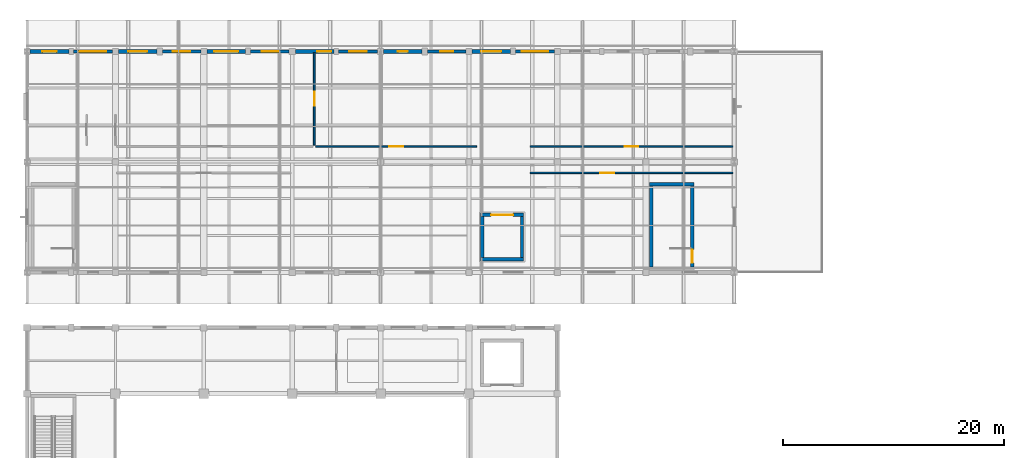
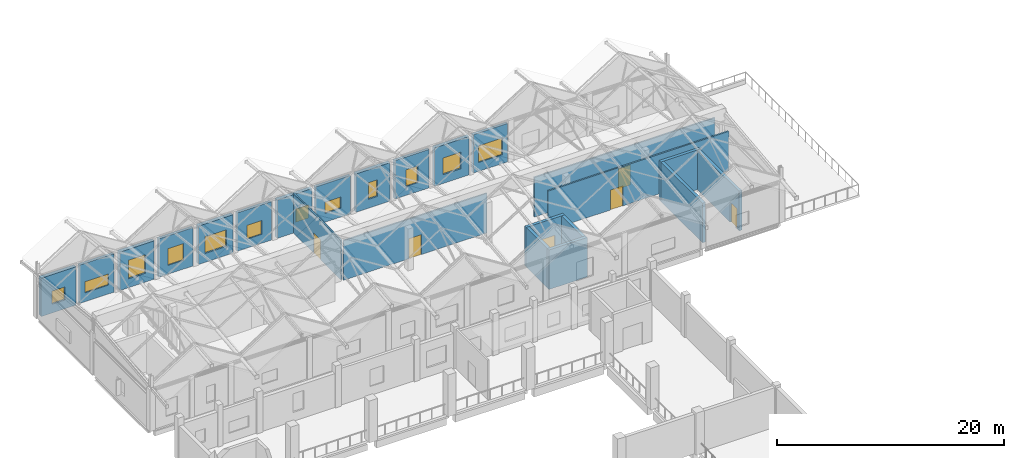
# One storey, part 145 of 183: 23 walls, 12 windows, 6 doors, 18 openings.
"""IFC4 building model written with IfcOpenShell, lengths in metres."""

from ifc_helpers import new_model, si_unit, direction, frame, frame_2d, origin, place, context, subcontext, project, spatial, rectangle, extrude, material, layer, layer_set, type_object, element, fill, save


model = new_model("IFC4")

# Units and contexts
model_context = context("Model", 3, precision=1e-05, world=origin(), true_north=direction((0.0, 1.0)))
body_context = subcontext(model_context, "Body", "Model", "MODEL_VIEW")
ifc_project = project(units=[si_unit("LENGTHUNIT", "METRE"), si_unit("AREAUNIT", "SQUARE_METRE"), si_unit("VOLUMEUNIT", "CUBIC_METRE"), si_unit("PLANEANGLEUNIT", "RADIAN"), si_unit("MASSUNIT", "GRAM", prefix="KILO")], contexts=[model_context])

# Site, building, storey
site_placement = place(None, origin())
site = spatial("IfcSite", under=ifc_project, at=site_placement, CompositionType="ELEMENT")
building_placement = place(site_placement, origin())
building = spatial("IfcBuilding", under=site, at=building_placement, Name="Luwemba Playhouse", CompositionType="ELEMENT")
storey_placement = place(building_placement, frame((0.0, 0.0, 4.800048828125)))
storey = spatial("IfcBuildingStorey", under=building, at=storey_placement, Name="L01", CompositionType="ELEMENT", Elevation=4.800048828125)

# Wall, opening, window
ifc_material_1 = material(Name="Clay facing brick obra vista masonry", Category="masonry")
ifc_layer_1 = layer(ifc_material_1, 0.3798828125)
ifc_layer_set_1 = layer_set([ifc_layer_1], Name="Clay facing brick obra vista masonry")
wall_type_1 = type_object("IfcWallType", Name="WAL-BRK-380", PredefinedType="SOLIDWALL", material=ifc_layer_set_1)
wall_1_placement = place(storey_placement, frame((4.27490234375, 115.0, 0.0), z_axis=(0.0, 0.0, 1.0), x_axis=(1.0, 0.0, 0.0)))
wall_1 = element("IfcWall", 1, at=wall_1_placement, inside=storey, type_object=wall_type_1, Name="L01 V6W exterior facade wall 0206", PredefinedType="SOLIDWALL", context=body_context, shape_type="SweptSolid", body=[
    extrude(rectangle(XDim=3.525146484375, YDim=0.3798828125, at=frame_2d((1.7626953125, 0.0))), origin(), (0.0, 0.0, 1.0), 4.125),
])
opening_1_placement = place(wall_1_placement, frame((1.112548828125, 0.0, 0.949951171875)))
opening_1 = element("IfcOpeningElement", 2, at=opening_1_placement, cuts=wall_1, Name="Opening WN-14", PredefinedType="OPENING", context=body_context, shape_type="SweptSolid", body=[
    extrude(rectangle(XDim=1.300048828125, YDim=1.39990234375, at=frame_2d((0.64990234375, 0.699951171875))), frame((0.0, 0.199951171875, 0.0), z_axis=(0.0, -1.0, 0.0), x_axis=(1.0, 0.0, 0.0)), (0.0, 0.0, 1.0), 0.39990234375),
])
ifc_material_2 = material(Name="Solar-control double glazing in aluminium frame", Category="aluminium")
window_type_1 = type_object("IfcWindowType", Name="WIN-WN-14", PartitioningType="SINGLE_PANEL", PredefinedType="WINDOW", material=ifc_material_2)
window_1_placement = place(opening_1_placement, origin())
window_1 = element("IfcWindow", 3, at=window_1_placement, inside=storey, type_object=window_type_1, Name="L01 V6W scheduled window 0154", OverallHeight=1.39990234375, OverallWidth=1.300048828125, PartitioningType="SINGLE_PANEL", PredefinedType="WINDOW", context=body_context, shape_type="SweptSolid", body=[
    extrude(rectangle(XDim=1.300048828125, YDim=1.39990234375, at=frame_2d((0.64990234375, 0.699951171875))), frame((0.0, 0.030029296875, 0.0), z_axis=(0.0, -1.0, 0.0), x_axis=(1.0, 0.0, 0.0)), (0.0, 0.0, 1.0), 0.06005859375),
])
fill(opening_1, window_1)

wall_2_placement = place(storey_placement, frame((12.27490234375, 115.0, 0.0), z_axis=(0.0, 0.0, 1.0), x_axis=(1.0, 0.0, 0.0)))
wall_2 = element("IfcWall", 4, at=wall_2_placement, inside=storey, type_object=wall_type_1, Name="L01 V6W exterior facade wall 0208", PredefinedType="SOLIDWALL", context=body_context, shape_type="SweptSolid", body=[
    extrude(rectangle(XDim=3.47509765625, YDim=0.3798828125, at=frame_2d((1.737548828125, 0.0))), origin(), (0.0, 0.0, 1.0), 4.125),
])
opening_2_placement = place(wall_2_placement, frame((0.887451171875, 0.0, 0.949951171875)))
opening_2 = element("IfcOpeningElement", 5, at=opening_2_placement, cuts=wall_2, Name="Opening WN-20", PredefinedType="OPENING", context=body_context, shape_type="SweptSolid", body=[
    extrude(rectangle(XDim=1.699951171875, YDim=2.0, at=frame_2d((0.85009765625, 1.0))), frame((0.0, 0.199951171875, 0.0), z_axis=(0.0, -1.0, 0.0), x_axis=(1.0, 0.0, 0.0)), (0.0, 0.0, 1.0), 0.39990234375),
])
window_type_2 = type_object("IfcWindowType", Name="WIN-WN-20", PartitioningType="DOUBLE_PANEL_VERTICAL", PredefinedType="WINDOW", material=ifc_material_2)
window_2_placement = place(opening_2_placement, origin())
window_2 = element("IfcWindow", 6, at=window_2_placement, inside=storey, type_object=window_type_2, Name="L01 V6W scheduled window 0156", OverallHeight=2.0, OverallWidth=1.699951171875, PartitioningType="DOUBLE_PANEL_VERTICAL", PredefinedType="WINDOW", context=body_context, shape_type="SweptSolid", body=[
    extrude(rectangle(XDim=1.699951171875, YDim=2.0, at=frame_2d((0.85009765625, 1.0))), frame((0.0, 0.030029296875, 0.0), z_axis=(0.0, -1.0, 0.0), x_axis=(1.0, 0.0, 0.0)), (0.0, 0.0, 1.0), 0.06005859375),
])
fill(opening_2, window_2)

wall_3_placement = place(storey_placement, frame((20.27490234375, 115.0, 0.0), z_axis=(0.0, 0.0, 1.0), x_axis=(1.0, 0.0, 0.0)))
wall_3 = element("IfcWall", 7, at=wall_3_placement, inside=storey, type_object=wall_type_1, Name="L01 V6W exterior facade wall 0210", PredefinedType="SOLIDWALL", context=body_context, shape_type="SweptSolid", body=[
    extrude(rectangle(XDim=3.5, YDim=0.3798828125, at=frame_2d((1.75, 0.0))), origin(), (0.0, 0.0, 1.0), 4.125),
])
opening_3_placement = place(wall_3_placement, frame((0.64990234375, 0.0, 0.949951171875)))
opening_3 = element("IfcOpeningElement", 8, at=opening_3_placement, cuts=wall_3, Name="Opening WN-06", PredefinedType="OPENING", context=body_context, shape_type="SweptSolid", body=[
    extrude(rectangle(XDim=2.199951171875, YDim=1.800048828125, at=frame_2d((1.10009765625, 0.89990234375))), frame((0.0, 0.199951171875, 0.0), z_axis=(0.0, -1.0, 0.0), x_axis=(1.0, 0.0, 0.0)), (0.0, 0.0, 1.0), 0.39990234375),
])
window_type_3 = type_object("IfcWindowType", Name="WIN-WN-06", PartitioningType="TRIPLE_PANEL_VERTICAL", PredefinedType="WINDOW", material=ifc_material_2)
window_3_placement = place(opening_3_placement, origin())
window_3 = element("IfcWindow", 9, at=window_3_placement, inside=storey, type_object=window_type_3, Name="L01 V6W scheduled window 0158", OverallHeight=1.800048828125, OverallWidth=2.199951171875, PartitioningType="TRIPLE_PANEL_VERTICAL", PredefinedType="WINDOW", context=body_context, shape_type="SweptSolid", body=[
    extrude(rectangle(XDim=2.199951171875, YDim=1.800048828125, at=frame_2d((1.10009765625, 0.89990234375))), frame((0.0, 0.030029296875, 0.0), z_axis=(0.0, -1.0, 0.0), x_axis=(1.0, 0.0, 0.0)), (0.0, 0.0, 1.0), 0.06005859375),
])
fill(opening_3, window_3)

wall_4_placement = place(storey_placement, frame((28.27490234375, 115.0, 0.0), z_axis=(0.0, 0.0, 1.0), x_axis=(1.0, 0.0, 0.0)))
wall_4 = element("IfcWall", 10, at=wall_4_placement, inside=storey, type_object=wall_type_1, Name="L01 V6W exterior facade wall 0212", PredefinedType="SOLIDWALL", context=body_context, shape_type="SweptSolid", body=[
    extrude(rectangle(XDim=3.525146484375, YDim=0.3798828125, at=frame_2d((1.7626953125, 0.0))), origin(), (0.0, 0.0, 1.0), 4.125),
])
opening_4_placement = place(wall_4_placement, frame((1.972412109375, 0.0, 0.949951171875)))
opening_4 = element("IfcOpeningElement", 11, at=opening_4_placement, cuts=wall_4, Name="Opening WN-14", PredefinedType="OPENING", context=body_context, shape_type="SweptSolid", body=[
    extrude(rectangle(XDim=1.300048828125, YDim=1.39990234375, at=frame_2d((0.64990234375, 0.699951171875))), frame((0.0, 0.199951171875, 0.0), z_axis=(0.0, -1.0, 0.0), x_axis=(1.0, 0.0, 0.0)), (0.0, 0.0, 1.0), 0.39990234375),
])
window_4_placement = place(opening_4_placement, origin())
window_4 = element("IfcWindow", 12, at=window_4_placement, inside=storey, type_object=window_type_1, Name="L01 V6W scheduled window 0160", OverallHeight=1.39990234375, OverallWidth=1.300048828125, PartitioningType="TRIPLE_PANEL_VERTICAL", PredefinedType="WINDOW", context=body_context, shape_type="SweptSolid", body=[
    extrude(rectangle(XDim=1.300048828125, YDim=1.39990234375, at=frame_2d((0.64990234375, 0.699951171875))), frame((0.0, 0.030029296875, 0.0), z_axis=(0.0, -1.0, 0.0), x_axis=(1.0, 0.0, 0.0)), (0.0, 0.0, 1.0), 0.06005859375),
])
fill(opening_4, window_4)

wall_5_placement = place(storey_placement, frame((36.27490234375, 115.0, 0.0), z_axis=(0.0, 0.0, 1.0), x_axis=(1.0, 0.0, 0.0)))
wall_5 = element("IfcWall", 13, at=wall_5_placement, inside=storey, type_object=wall_type_1, Name="L01 V6W exterior facade wall 0214", PredefinedType="SOLIDWALL", context=body_context, shape_type="SweptSolid", body=[
    extrude(rectangle(XDim=3.47509765625, YDim=0.3798828125, at=frame_2d((1.737548828125, 0.0))), origin(), (0.0, 0.0, 1.0), 4.125),
])
opening_5_placement = place(wall_5_placement, frame((1.28759765625, 0.0, 0.949951171875)))
opening_5 = element("IfcOpeningElement", 14, at=opening_5_placement, cuts=wall_5, Name="Opening WN-18", PredefinedType="OPENING", context=body_context, shape_type="SweptSolid", body=[
    extrude(rectangle(XDim=0.89990234375, YDim=1.800048828125, at=frame_2d((0.449951171875, 0.89990234375))), frame((0.0, 0.199951171875, 0.0), z_axis=(0.0, -1.0, 0.0), x_axis=(1.0, 0.0, 0.0)), (0.0, 0.0, 1.0), 0.39990234375),
])
window_type_4 = type_object("IfcWindowType", Name="WIN-WN-18", PartitioningType="SINGLE_PANEL", PredefinedType="WINDOW", material=ifc_material_2)
window_5_placement = place(opening_5_placement, origin())
window_5 = element("IfcWindow", 15, at=window_5_placement, inside=storey, type_object=window_type_4, Name="L01 V6W scheduled window 0162", OverallHeight=1.800048828125, OverallWidth=0.89990234375, PartitioningType="SINGLE_PANEL", PredefinedType="WINDOW", context=body_context, shape_type="SweptSolid", body=[
    extrude(rectangle(XDim=0.89990234375, YDim=1.800048828125, at=frame_2d((0.449951171875, 0.89990234375))), frame((0.0, 0.030029296875, 0.0), z_axis=(0.0, -1.0, 0.0), x_axis=(1.0, 0.0, 0.0)), (0.0, 0.0, 1.0), 0.06005859375),
])
fill(opening_5, window_5)

wall_6_placement = place(storey_placement, frame((44.27490234375, 115.0, 0.0), z_axis=(0.0, 0.0, 1.0), x_axis=(1.0, 0.0, 0.0)))
wall_6 = element("IfcWall", 16, at=wall_6_placement, inside=storey, type_object=wall_type_1, Name="L01 V6W exterior facade wall 0216", PredefinedType="SOLIDWALL", context=body_context, shape_type="SweptSolid", body=[
    extrude(rectangle(XDim=3.5, YDim=0.3798828125, at=frame_2d((1.75, 0.0))), origin(), (0.0, 0.0, 1.0), 4.125),
])
opening_6_placement = place(wall_6_placement, frame((0.85009765625, 0.0, 0.949951171875)))
opening_6 = element("IfcOpeningElement", 17, at=opening_6_placement, cuts=wall_6, Name="Opening WN-04", PredefinedType="OPENING", context=body_context, shape_type="SweptSolid", body=[
    extrude(rectangle(XDim=1.800048828125, YDim=1.800048828125, at=frame_2d((0.89990234375, 0.89990234375))), frame((0.0, 0.199951171875, 0.0), z_axis=(0.0, -1.0, 0.0), x_axis=(1.0, 0.0, 0.0)), (0.0, 0.0, 1.0), 0.39990234375),
])
window_type_5 = type_object("IfcWindowType", Name="WIN-WN-04", PartitioningType="DOUBLE_PANEL_VERTICAL", PredefinedType="WINDOW", material=ifc_material_2)
window_6_placement = place(opening_6_placement, origin())
window_6 = element("IfcWindow", 18, at=window_6_placement, inside=storey, type_object=window_type_5, Name="L01 V6W scheduled window 0164", OverallHeight=1.800048828125, OverallWidth=1.800048828125, PartitioningType="DOUBLE_PANEL_VERTICAL", PredefinedType="WINDOW", context=body_context, shape_type="SweptSolid", body=[
    extrude(rectangle(XDim=1.800048828125, YDim=1.800048828125, at=frame_2d((0.89990234375, 0.89990234375))), frame((0.0, 0.030029296875, 0.0), z_axis=(0.0, -1.0, 0.0), x_axis=(1.0, 0.0, 0.0)), (0.0, 0.0, 1.0), 0.06005859375),
])
fill(opening_6, window_6)

# Walls
ifc_material_3 = material(Name="Concrete C40/50", Category="concrete")
ifc_layer_2 = layer(ifc_material_3, 0.300048828125)
ifc_layer_set_2 = layer_set([ifc_layer_2], Name="Concrete C40/50")
wall_type_2 = type_object("IfcWallType", Name="WAL-CORE-300", PredefinedType="SHEAR", material=ifc_layer_set_2)
wall_7_placement = place(storey_placement, frame((64.35009765625, 102.969970703125, 0.0), z_axis=(0.0, 0.0, 1.0), x_axis=(-1.0, 0.0, 0.0)))
element("IfcWall", 19, at=wall_7_placement, inside=storey, type_object=wall_type_2, Name="L01 ST-15 stair core wall N", PredefinedType="SHEAR", context=body_context, shape_type="SweptSolid", body=[
    extrude(rectangle(XDim=4.0, YDim=0.300048828125, at=frame_2d((2.0, 0.0))), origin(), (0.0, 0.0, 1.0), 4.25),
])
wall_8_placement = place(storey_placement, frame((60.5, 95.5, 0.0), z_axis=(0.0, 0.0, 1.0), x_axis=(0.0, 1.0, 0.0)))
element("IfcWall", 20, at=wall_8_placement, inside=storey, type_object=wall_type_2, Name="L01 ST-15 stair core wall W", PredefinedType="SHEAR", context=body_context, shape_type="SweptSolid", body=[
    extrude(rectangle(XDim=7.320068359375, YDim=0.300048828125, at=frame_2d((3.66015625, 0.0))), origin(), (0.0, 0.0, 1.0), 4.25),
])

# Wall, opening, door
wall_9_placement = place(storey_placement, frame((64.199951171875, 95.5, 0.0), z_axis=(0.0, 0.0, 1.0), x_axis=(0.0, 1.0, 0.0)))
wall_9 = element("IfcWall", 21, at=wall_9_placement, inside=storey, type_object=wall_type_2, Name="L01 ST-15 stair core wall E", PredefinedType="SHEAR", context=body_context, shape_type="SweptSolid", body=[
    extrude(rectangle(XDim=7.320068359375, YDim=0.300048828125, at=frame_2d((3.66015625, 0.0))), origin(), (0.0, 0.0, 1.0), 4.25),
])
opening_7_placement = place(wall_9_placement, frame((0.35009765625, 0.0, 0.0)))
opening_7 = element("IfcOpeningElement", 22, at=opening_7_placement, cuts=wall_9, Name="Opening D-STAIR3", PredefinedType="OPENING", context=body_context, shape_type="SweptSolid", body=[
    extrude(rectangle(XDim=1.199951171875, YDim=2.14990234375, at=frame_2d((0.60009765625, 1.074951171875))), frame((0.0, 0.159912109375, 0.0), z_axis=(0.0, -1.0, 0.0), x_axis=(1.0, 0.0, 0.0)), (0.0, 0.0, 1.0), 0.320068359375),
])
ifc_material_4 = material(Name="Hardwood acoustic fire door leaf", Category="wood")
door_type_1 = type_object("IfcDoorType", Name="DR-STAIR-120", OperationType="NOTDEFINED", PredefinedType="DOOR", material=ifc_material_4)
door_1_placement = place(opening_7_placement, origin())
door_1 = element("IfcDoor", 23, at=door_1_placement, inside=storey, type_object=door_type_1, Name="L01 ST-15 protected stair entry door", OperationType="SINGLE_SWING_LEFT", OverallHeight=2.14990234375, OverallWidth=1.199951171875, PredefinedType="DOOR", context=body_context, shape_type="SweptSolid", body=[
    extrude(rectangle(XDim=1.199951171875, YDim=2.14990234375, at=frame_2d((0.60009765625, 1.074951171875))), frame((0.0, 0.02490234375, 0.0), z_axis=(0.0, -1.0, 0.0), x_axis=(1.0, 0.0, 0.0)), (0.0, 0.0, 1.0), 0.050048828125),
])
fill(opening_7, door_1)

# Wall
wall_10_placement = place(storey_placement, frame((45.050048828125, 96.199951171875, 0.0), z_axis=(0.0, 0.0, 1.0), x_axis=(1.0, 0.0, 0.0)))
element("IfcWall", 24, at=wall_10_placement, inside=storey, type_object=wall_type_2, Name="L01 Lift LF-G2 shaft wall S", PredefinedType="SHEAR", context=body_context, shape_type="SweptSolid", body=[
    extrude(rectangle(XDim=3.89990234375, YDim=0.300048828125, at=frame_2d((1.949951171875, 0.0))), origin(), (0.0, 0.0, 1.0), 4.25),
])

# Wall, opening, door
wall_11_placement = place(storey_placement, frame((48.949951171875, 100.199951171875, 0.0), z_axis=(0.0, 0.0, 1.0), x_axis=(-1.0, 0.0, 0.0)))
wall_11 = element("IfcWall", 25, at=wall_11_placement, inside=storey, type_object=wall_type_2, Name="L01 Lift LF-G2 shaft wall N", PredefinedType="SHEAR", context=body_context, shape_type="SweptSolid", body=[
    extrude(rectangle(XDim=3.89990234375, YDim=0.300048828125, at=frame_2d((1.949951171875, 0.0))), origin(), (0.0, 0.0, 1.0), 4.25),
])
opening_8_placement = place(wall_11_placement, frame((0.949951171875, 0.0, 0.0)))
opening_8 = element("IfcOpeningElement", 26, at=opening_8_placement, cuts=wall_11, Name="Opening LD-02", PredefinedType="OPENING", context=body_context, shape_type="SweptSolid", body=[
    extrude(rectangle(XDim=2.0, YDim=2.39990234375, at=frame_2d((1.0, 1.199951171875))), frame((0.0, 0.159912109375, 0.0), z_axis=(0.0, -1.0, 0.0), x_axis=(1.0, 0.0, 0.0)), (0.0, 0.0, 1.0), 0.320068359375),
])
ifc_material_5 = material(Name="Heavy steel goods lift landing doors", Category="steel")
door_type_2 = type_object("IfcDoorType", Name="DR-LIFT-200", OperationType="NOTDEFINED", PredefinedType="DOOR", material=ifc_material_5)
door_2_placement = place(opening_8_placement, origin())
door_2 = element("IfcDoor", 27, at=door_2_placement, inside=storey, type_object=door_type_2, Name="L01 Lift LF-G2 landing door", OperationType="DOUBLE_DOOR_SLIDING", OverallHeight=2.39990234375, OverallWidth=2.0, PredefinedType="DOOR", context=body_context, shape_type="SweptSolid", body=[
    extrude(rectangle(XDim=2.0, YDim=2.39990234375, at=frame_2d((1.0, 1.199951171875))), frame((0.0, 0.02490234375, 0.0), z_axis=(0.0, -1.0, 0.0), x_axis=(1.0, 0.0, 0.0)), (0.0, 0.0, 1.0), 0.050048828125),
])
fill(opening_8, door_2)

# Walls
for number, where, z_axis, x_axis, name in (
    (28, (45.199951171875, 96.35009765625, 0.0), (0.0, 0.0, 1.0), (0.0, 1.0, 0.0), "L01 Lift LF-G2 shaft wall W"),
    (29, (48.800048828125, 100.050048828125, 0.0), (0.0, 0.0, 1.0), (0.0, -1.0, 0.0), "L01 Lift LF-G2 shaft wall E"),
):
    element("IfcWall", number, at=place(storey_placement, frame(where, z_axis=z_axis, x_axis=x_axis)), inside=storey, type_object=wall_type_2, Name=name, PredefinedType="SHEAR", context=body_context, shape_type="SweptSolid", body=[
        extrude(rectangle(XDim=3.699951171875, YDim=0.300048828125, at=frame_2d((1.85009765625, 0.0))), origin(), (0.0, 0.0, 1.0), 4.25),
    ])

# Wall, opening, door
ifc_material_6 = material(Name="Acoustic gypsum stud partition", Category="gypsum")
ifc_layer_3 = layer(ifc_material_6, 0.14990234375)
ifc_layer_set_3 = layer_set([ifc_layer_3], Name="Acoustic gypsum stud partition")
wall_type_3 = type_object("IfcWallType", Name="WAL-INT-150", PredefinedType="PARTITIONING", material=ifc_layer_set_3)
wall_12_placement = place(storey_placement, frame((30.0, 106.52001953125, 0.0), z_axis=(0.0, 0.0, 1.0), x_axis=(0.0, 1.0, 0.0)))
wall_12 = element("IfcWall", 30, at=wall_12_placement, inside=storey, type_object=wall_type_3, Name="L01 V6W interior partition 0157", PredefinedType="PARTITIONING", context=body_context, shape_type="SweptSolid", body=[
    extrude(rectangle(XDim=8.35986328125, YDim=0.14990234375, at=frame_2d((4.179931640625, 0.0))), origin(), (0.0, 0.0, 1.0), 4.25),
])
opening_9_placement = place(wall_12_placement, frame((3.554931640625, 0.0, 0.0)))
opening_9 = element("IfcOpeningElement", 31, at=opening_9_placement, cuts=wall_12, Name="Opening D-IN1", PredefinedType="OPENING", context=body_context, shape_type="SweptSolid", body=[
    extrude(rectangle(XDim=1.25, YDim=2.14990234375, at=frame_2d((0.625, 1.074951171875))), frame((0.0, 0.0849609375, 0.0), z_axis=(0.0, -1.0, 0.0), x_axis=(1.0, 0.0, 0.0)), (0.0, 0.0, 1.0), 0.169921875),
])
ifc_material_7 = material(Name="Solid hardwood interior door", Category="wood")
door_type_3 = type_object("IfcDoorType", Name="DR-INT-125", OperationType="NOTDEFINED", PredefinedType="DOOR", material=ifc_material_7)
door_3_placement = place(opening_9_placement, origin())
door_3 = element("IfcDoor", 32, at=door_3_placement, inside=storey, type_object=door_type_3, Name="L01 Chorus Female Dressing Suite to Chorus Male Dressing Suite door", OperationType="SINGLE_SWING_RIGHT", OverallHeight=2.14990234375, OverallWidth=1.25, PredefinedType="DOOR", context=body_context, shape_type="SweptSolid", body=[
    extrude(rectangle(XDim=1.25, YDim=2.14990234375, at=frame_2d((0.625, 1.074951171875))), frame((0.0, 0.02490234375, 0.0), z_axis=(0.0, -1.0, 0.0), x_axis=(1.0, 0.0, 0.0)), (0.0, 0.0, 1.0), 0.050048828125),
])
fill(opening_9, door_3)

wall_13_placement = place(storey_placement, frame((30.1201171875, 106.39990234375, 0.0), z_axis=(0.0, 0.0, 1.0), x_axis=(1.0, 0.0, 0.0)))
wall_13 = element("IfcWall", 33, at=wall_13_placement, inside=storey, type_object=wall_type_3, Name="L01 V6W interior partition 0160", PredefinedType="PARTITIONING", context=body_context, shape_type="SweptSolid", body=[
    extrude(rectangle(XDim=14.559814453125, YDim=0.14990234375, at=frame_2d((7.27978515625, 0.0))), origin(), (0.0, 0.0, 1.0), 4.25),
])
opening_10_placement = place(wall_13_placement, frame((6.655029296875, 0.0, 0.0)))
opening_10 = element("IfcOpeningElement", 34, at=opening_10_placement, cuts=wall_13, Name="Opening D-IN1", PredefinedType="OPENING", context=body_context, shape_type="SweptSolid", body=[
    extrude(rectangle(XDim=1.25, YDim=2.14990234375, at=frame_2d((0.625, 1.074951171875))), frame((0.0, 0.0849609375, 0.0), z_axis=(0.0, -1.0, 0.0), x_axis=(1.0, 0.0, 0.0)), (0.0, 0.0, 1.0), 0.169921875),
])
door_4_placement = place(opening_10_placement, origin())
door_4 = element("IfcDoor", 35, at=door_4_placement, inside=storey, type_object=door_type_3, Name="L01 Chorus Male Dressing Suite to Backstage Dressing Corridor door", OperationType="SINGLE_SWING_LEFT", OverallHeight=2.14990234375, OverallWidth=1.25, PredefinedType="DOOR", context=body_context, shape_type="SweptSolid", body=[
    extrude(rectangle(XDim=1.25, YDim=2.14990234375, at=frame_2d((0.625, 1.074951171875))), frame((0.0, 0.02490234375, 0.0), z_axis=(0.0, -1.0, 0.0), x_axis=(1.0, 0.0, 0.0)), (0.0, 0.0, 1.0), 0.050048828125),
])
fill(opening_10, door_4)

wall_14_placement = place(storey_placement, frame((49.52001953125, 104.0, 0.0), z_axis=(0.0, 0.0, 1.0), x_axis=(1.0, 0.0, 0.0)))
wall_14 = element("IfcWall", 36, at=wall_14_placement, inside=storey, type_object=wall_type_3, Name="L01 V6W interior partition 0161", PredefinedType="PARTITIONING", context=body_context, shape_type="SweptSolid", body=[
    extrude(rectangle(XDim=18.35986328125, YDim=0.14990234375, at=frame_2d((9.179931640625, 0.0))), origin(), (0.0, 0.0, 1.0), 4.25),
])
opening_11_placement = place(wall_14_placement, frame((6.351806640625, 0.0, 0.0)))
opening_11 = element("IfcOpeningElement", 37, at=opening_11_placement, cuts=wall_14, Name="Opening D-IN1", PredefinedType="OPENING", context=body_context, shape_type="SweptSolid", body=[
    extrude(rectangle(XDim=1.25, YDim=2.14990234375, at=frame_2d((0.625, 1.074951171875))), frame((0.0, 0.0849609375, 0.0), z_axis=(0.0, -1.0, 0.0), x_axis=(1.0, 0.0, 0.0)), (0.0, 0.0, 1.0), 0.169921875),
])
door_5_placement = place(opening_11_placement, origin())
door_5 = element("IfcDoor", 38, at=door_5_placement, inside=storey, type_object=door_type_3, Name="L01 Backstage Dressing Corridor to Performers Green Room and Canteen door", OperationType="SINGLE_SWING_RIGHT", OverallHeight=2.14990234375, OverallWidth=1.25, PredefinedType="DOOR", context=body_context, shape_type="SweptSolid", body=[
    extrude(rectangle(XDim=1.25, YDim=2.14990234375, at=frame_2d((0.625, 1.074951171875))), frame((0.0, 0.02490234375, 0.0), z_axis=(0.0, -1.0, 0.0), x_axis=(1.0, 0.0, 0.0)), (0.0, 0.0, 1.0), 0.050048828125),
])
fill(opening_11, door_5)

wall_15_placement = place(storey_placement, frame((49.52001953125, 106.39990234375, 0.0), z_axis=(0.0, 0.0, 1.0), x_axis=(1.0, 0.0, 0.0)))
wall_15 = element("IfcWall", 39, at=wall_15_placement, inside=storey, type_object=wall_type_3, Name="L01 V6W interior partition 0162", PredefinedType="PARTITIONING", context=body_context, shape_type="SweptSolid", body=[
    extrude(rectangle(XDim=18.35986328125, YDim=0.14990234375, at=frame_2d((9.179931640625, 0.0))), origin(), (0.0, 0.0, 1.0), 4.25),
])
opening_12_placement = place(wall_15_placement, frame((8.554931640625, 0.0, 0.0)))
opening_12 = element("IfcOpeningElement", 40, at=opening_12_placement, cuts=wall_15, Name="Opening D-IN1", PredefinedType="OPENING", context=body_context, shape_type="SweptSolid", body=[
    extrude(rectangle(XDim=1.25, YDim=2.14990234375, at=frame_2d((0.625, 1.074951171875))), frame((0.0, 0.0849609375, 0.0), z_axis=(0.0, -1.0, 0.0), x_axis=(1.0, 0.0, 0.0)), (0.0, 0.0, 1.0), 0.169921875),
])
door_6_placement = place(opening_12_placement, origin())
door_6 = element("IfcDoor", 41, at=door_6_placement, inside=storey, type_object=door_type_3, Name="L01 Backstage Dressing Corridor to Costume Fitting, Wig and Laundry Workshop door", OperationType="SINGLE_SWING_LEFT", OverallHeight=2.14990234375, OverallWidth=1.25, PredefinedType="DOOR", context=body_context, shape_type="SweptSolid", body=[
    extrude(rectangle(XDim=1.25, YDim=2.14990234375, at=frame_2d((0.625, 1.074951171875))), frame((0.0, 0.02490234375, 0.0), z_axis=(0.0, -1.0, 0.0), x_axis=(1.0, 0.0, 0.0)), (0.0, 0.0, 1.0), 0.050048828125),
])
fill(opening_12, door_6)

# Wall, opening, window
ifc_material_8 = material(Name="Structural timber GL24h infill", Category="wood")
ifc_layer_4 = layer(ifc_material_8, 0.280029296875)
ifc_layer_set_4 = layer_set([ifc_layer_4], Name="Structural timber GL24h infill")
wall_type_4 = type_object("IfcWallType", Name="WAL-TIM-280", PredefinedType="SOLIDWALL", material=ifc_layer_set_4)
wall_16_placement = place(storey_placement, frame((8.199951171875, 115.0, 0.0), z_axis=(0.0, 0.0, 1.0), x_axis=(1.0, 0.0, 0.0)))
wall_16 = element("IfcWall", 42, at=wall_16_placement, inside=storey, type_object=wall_type_4, Name="L01 V6W exterior facade wall 0207", PredefinedType="SOLIDWALL", context=body_context, shape_type="SweptSolid", body=[
    extrude(rectangle(XDim=3.525146484375, YDim=0.280029296875, at=frame_2d((1.7626953125, 0.0))), origin(), (0.0, 0.0, 1.0), 4.125),
])
opening_13_placement = place(wall_16_placement, frame((0.5625, 0.0, 0.949951171875)))
opening_13 = element("IfcOpeningElement", 43, at=opening_13_placement, cuts=wall_16, Name="Opening WN-17", PredefinedType="OPENING", context=body_context, shape_type="SweptSolid", body=[
    extrude(rectangle(XDim=2.39990234375, YDim=1.199951171875, at=frame_2d((1.199951171875, 0.60009765625))), frame((0.0, 0.14990234375, 0.0), z_axis=(0.0, -1.0, 0.0), x_axis=(1.0, 0.0, 0.0)), (0.0, 0.0, 1.0), 0.300048828125),
])
window_type_6 = type_object("IfcWindowType", Name="WIN-WN-17", PartitioningType="TRIPLE_PANEL_HORIZONTAL", PredefinedType="WINDOW", material=ifc_material_2)
window_7_placement = place(opening_13_placement, origin())
window_7 = element("IfcWindow", 44, at=window_7_placement, inside=storey, type_object=window_type_6, Name="L01 V6W scheduled window 0155", OverallHeight=1.199951171875, OverallWidth=2.39990234375, PartitioningType="TRIPLE_PANEL_HORIZONTAL", PredefinedType="WINDOW", context=body_context, shape_type="SweptSolid", body=[
    extrude(rectangle(XDim=2.39990234375, YDim=1.199951171875, at=frame_2d((1.199951171875, 0.60009765625))), frame((0.0, 0.030029296875, 0.0), z_axis=(0.0, -1.0, 0.0), x_axis=(1.0, 0.0, 0.0)), (0.0, 0.0, 1.0), 0.06005859375),
])
fill(opening_13, window_7)

wall_17_placement = place(storey_placement, frame((16.25, 115.0, 0.0), z_axis=(0.0, 0.0, 1.0), x_axis=(1.0, 0.0, 0.0)))
wall_17 = element("IfcWall", 45, at=wall_17_placement, inside=storey, type_object=wall_type_4, Name="L01 V6W exterior facade wall 0209", PredefinedType="SOLIDWALL", context=body_context, shape_type="SweptSolid", body=[
    extrude(rectangle(XDim=3.47509765625, YDim=0.280029296875, at=frame_2d((1.737548828125, 0.0))), origin(), (0.0, 0.0, 1.0), 4.125),
])
opening_14_placement = place(wall_17_placement, frame((0.9375, 0.0, 0.949951171875)))
opening_14 = element("IfcOpeningElement", 46, at=opening_14_placement, cuts=wall_17, Name="Opening WN-03", PredefinedType="OPENING", context=body_context, shape_type="SweptSolid", body=[
    extrude(rectangle(XDim=1.60009765625, YDim=1.800048828125, at=frame_2d((0.800048828125, 0.89990234375))), frame((0.0, 0.14990234375, 0.0), z_axis=(0.0, -1.0, 0.0), x_axis=(1.0, 0.0, 0.0)), (0.0, 0.0, 1.0), 0.300048828125),
])
window_type_7 = type_object("IfcWindowType", Name="WIN-WN-03", PartitioningType="DOUBLE_PANEL_VERTICAL", PredefinedType="WINDOW", material=ifc_material_2)
window_8_placement = place(opening_14_placement, origin())
window_8 = element("IfcWindow", 47, at=window_8_placement, inside=storey, type_object=window_type_7, Name="L01 V6W scheduled window 0157", OverallHeight=1.800048828125, OverallWidth=1.60009765625, PartitioningType="DOUBLE_PANEL_VERTICAL", PredefinedType="WINDOW", context=body_context, shape_type="SweptSolid", body=[
    extrude(rectangle(XDim=1.60009765625, YDim=1.800048828125, at=frame_2d((0.800048828125, 0.89990234375))), frame((0.0, 0.030029296875, 0.0), z_axis=(0.0, -1.0, 0.0), x_axis=(1.0, 0.0, 0.0)), (0.0, 0.0, 1.0), 0.06005859375),
])
fill(opening_14, window_8)

wall_18_placement = place(storey_placement, frame((24.22509765625, 115.0, 0.0), z_axis=(0.0, 0.0, 1.0), x_axis=(1.0, 0.0, 0.0)))
wall_18 = element("IfcWall", 48, at=wall_18_placement, inside=storey, type_object=wall_type_4, Name="L01 V6W exterior facade wall 0211", PredefinedType="SOLIDWALL", context=body_context, shape_type="SweptSolid", body=[
    extrude(rectangle(XDim=3.5, YDim=0.280029296875, at=frame_2d((1.75, 0.0))), origin(), (0.0, 0.0, 1.0), 4.125),
])
opening_15_placement = place(wall_18_placement, frame((1.0, 0.0, 0.949951171875)))
opening_15 = element("IfcOpeningElement", 49, at=opening_15_placement, cuts=wall_18, Name="Opening WN-09", PredefinedType="OPENING", context=body_context, shape_type="SweptSolid", body=[
    extrude(rectangle(XDim=1.5, YDim=1.5, at=frame_2d((0.75, 0.75))), frame((0.0, 0.14990234375, 0.0), z_axis=(0.0, -1.0, 0.0), x_axis=(1.0, 0.0, 0.0)), (0.0, 0.0, 1.0), 0.300048828125),
])
window_type_8 = type_object("IfcWindowType", Name="WIN-WN-09", PartitioningType="DOUBLE_PANEL_VERTICAL", PredefinedType="WINDOW", material=ifc_material_2)
window_9_placement = place(opening_15_placement, origin())
window_9 = element("IfcWindow", 50, at=window_9_placement, inside=storey, type_object=window_type_8, Name="L01 V6W scheduled window 0159", OverallHeight=1.5, OverallWidth=1.5, PartitioningType="DOUBLE_PANEL_VERTICAL", PredefinedType="WINDOW", context=body_context, shape_type="SweptSolid", body=[
    extrude(rectangle(XDim=1.5, YDim=1.5, at=frame_2d((0.75, 0.75))), frame((0.0, 0.030029296875, 0.0), z_axis=(0.0, -1.0, 0.0), x_axis=(1.0, 0.0, 0.0)), (0.0, 0.0, 1.0), 0.06005859375),
])
fill(opening_15, window_9)

wall_19_placement = place(storey_placement, frame((32.199951171875, 115.0, 0.0), z_axis=(0.0, 0.0, 1.0), x_axis=(1.0, 0.0, 0.0)))
wall_19 = element("IfcWall", 51, at=wall_19_placement, inside=storey, type_object=wall_type_4, Name="L01 V6W exterior facade wall 0213", PredefinedType="SOLIDWALL", context=body_context, shape_type="SweptSolid", body=[
    extrude(rectangle(XDim=3.525146484375, YDim=0.280029296875, at=frame_2d((1.7626953125, 0.0))), origin(), (0.0, 0.0, 1.0), 4.125),
])
opening_16_placement = place(wall_19_placement, frame((0.96240234375, 0.0, 0.949951171875)))
opening_16 = element("IfcOpeningElement", 52, at=opening_16_placement, cuts=wall_19, Name="Opening WN-15", PredefinedType="OPENING", context=body_context, shape_type="SweptSolid", body=[
    extrude(rectangle(XDim=1.60009765625, YDim=1.199951171875, at=frame_2d((0.800048828125, 0.60009765625))), frame((0.0, 0.14990234375, 0.0), z_axis=(0.0, -1.0, 0.0), x_axis=(1.0, 0.0, 0.0)), (0.0, 0.0, 1.0), 0.300048828125),
])
window_type_9 = type_object("IfcWindowType", Name="WIN-WN-15", PartitioningType="DOUBLE_PANEL_HORIZONTAL", PredefinedType="WINDOW", material=ifc_material_2)
window_10_placement = place(opening_16_placement, origin())
window_10 = element("IfcWindow", 53, at=window_10_placement, inside=storey, type_object=window_type_9, Name="L01 V6W scheduled window 0161", OverallHeight=1.199951171875, OverallWidth=1.60009765625, PartitioningType="DOUBLE_PANEL_HORIZONTAL", PredefinedType="WINDOW", context=body_context, shape_type="SweptSolid", body=[
    extrude(rectangle(XDim=1.60009765625, YDim=1.199951171875, at=frame_2d((0.800048828125, 0.60009765625))), frame((0.0, 0.030029296875, 0.0), z_axis=(0.0, -1.0, 0.0), x_axis=(1.0, 0.0, 0.0)), (0.0, 0.0, 1.0), 0.06005859375),
])
fill(opening_16, window_10)

wall_20_placement = place(storey_placement, frame((40.25, 115.0, 0.0), z_axis=(0.0, 0.0, 1.0), x_axis=(1.0, 0.0, 0.0)))
wall_20 = element("IfcWall", 54, at=wall_20_placement, inside=storey, type_object=wall_type_4, Name="L01 V6W exterior facade wall 0215", PredefinedType="SOLIDWALL", context=body_context, shape_type="SweptSolid", body=[
    extrude(rectangle(XDim=3.47509765625, YDim=0.280029296875, at=frame_2d((1.737548828125, 0.0))), origin(), (0.0, 0.0, 1.0), 4.125),
])
opening_17_placement = place(wall_20_placement, frame((1.137451171875, 0.0, 0.949951171875)))
opening_17 = element("IfcOpeningElement", 55, at=opening_17_placement, cuts=wall_20, Name="Opening WN-01", PredefinedType="OPENING", context=body_context, shape_type="SweptSolid", body=[
    extrude(rectangle(XDim=1.199951171875, YDim=1.800048828125, at=frame_2d((0.60009765625, 0.89990234375))), frame((0.0, 0.14990234375, 0.0), z_axis=(0.0, -1.0, 0.0), x_axis=(1.0, 0.0, 0.0)), (0.0, 0.0, 1.0), 0.300048828125),
])
window_type_10 = type_object("IfcWindowType", Name="WIN-WN-01", PartitioningType="SINGLE_PANEL", PredefinedType="WINDOW", material=ifc_material_2)
window_11_placement = place(opening_17_placement, origin())
window_11 = element("IfcWindow", 56, at=window_11_placement, inside=storey, type_object=window_type_10, Name="L01 V6W scheduled window 0163", OverallHeight=1.800048828125, OverallWidth=1.199951171875, PartitioningType="SINGLE_PANEL", PredefinedType="WINDOW", context=body_context, shape_type="SweptSolid", body=[
    extrude(rectangle(XDim=1.199951171875, YDim=1.800048828125, at=frame_2d((0.60009765625, 0.89990234375))), frame((0.0, 0.030029296875, 0.0), z_axis=(0.0, -1.0, 0.0), x_axis=(1.0, 0.0, 0.0)), (0.0, 0.0, 1.0), 0.06005859375),
])
fill(opening_17, window_11)

wall_21_placement = place(storey_placement, frame((48.22509765625, 115.0, 0.0), z_axis=(0.0, 0.0, 1.0), x_axis=(1.0, 0.0, 0.0)))
wall_21 = element("IfcWall", 57, at=wall_21_placement, inside=storey, type_object=wall_type_4, Name="L01 V6W exterior facade wall 0217", PredefinedType="SOLIDWALL", context=body_context, shape_type="SweptSolid", body=[
    extrude(rectangle(XDim=3.5, YDim=0.280029296875, at=frame_2d((1.75, 0.0))), origin(), (0.0, 0.0, 1.0), 4.125),
])
opening_18_placement = place(wall_21_placement, frame((0.550048828125, 0.0, 0.949951171875)))
opening_18 = element("IfcOpeningElement", 58, at=opening_18_placement, cuts=wall_21, Name="Opening WN-07", PredefinedType="OPENING", context=body_context, shape_type="SweptSolid", body=[
    extrude(rectangle(XDim=2.39990234375, YDim=1.800048828125, at=frame_2d((1.199951171875, 0.89990234375))), frame((0.0, 0.14990234375, 0.0), z_axis=(0.0, -1.0, 0.0), x_axis=(1.0, 0.0, 0.0)), (0.0, 0.0, 1.0), 0.300048828125),
])
window_type_11 = type_object("IfcWindowType", Name="WIN-WN-07", PartitioningType="TRIPLE_PANEL_VERTICAL", PredefinedType="WINDOW", material=ifc_material_2)
window_12_placement = place(opening_18_placement, origin())
window_12 = element("IfcWindow", 59, at=window_12_placement, inside=storey, type_object=window_type_11, Name="L01 V6W scheduled window 0165", OverallHeight=1.800048828125, OverallWidth=2.39990234375, PartitioningType="TRIPLE_PANEL_VERTICAL", PredefinedType="WINDOW", context=body_context, shape_type="SweptSolid", body=[
    extrude(rectangle(XDim=2.39990234375, YDim=1.800048828125, at=frame_2d((1.199951171875, 0.89990234375))), frame((0.0, 0.030029296875, 0.0), z_axis=(0.0, -1.0, 0.0), x_axis=(1.0, 0.0, 0.0)), (0.0, 0.0, 1.0), 0.06005859375),
])
fill(opening_18, window_12)

save(model, "model.ifc")
